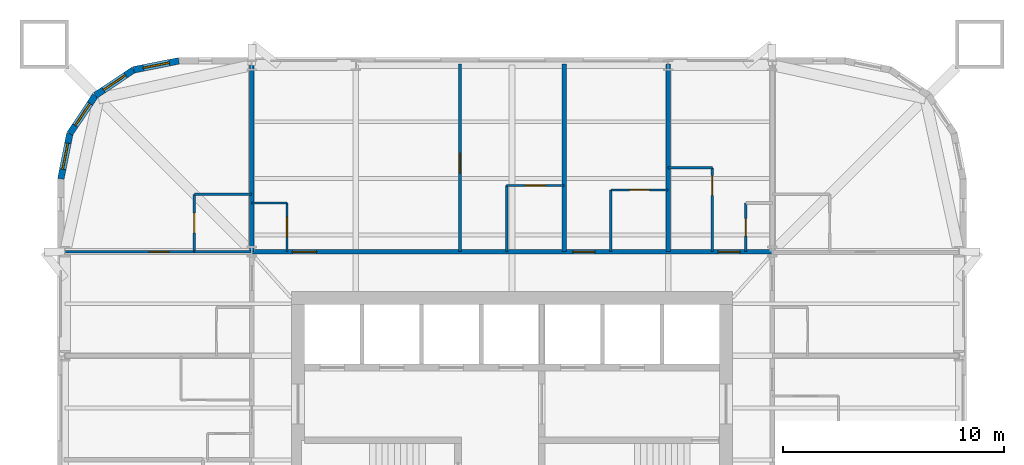
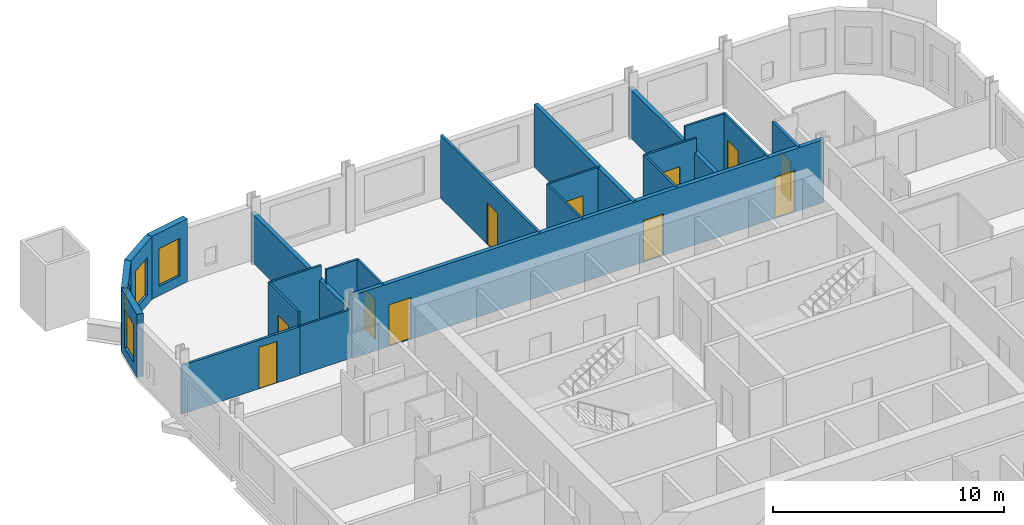
# One storey, part 7 of 9: 22 walls, 11 doors, 4 windows, 15 openings.
"""IFC4 building model written with IfcOpenShell, lengths in metres."""

from ifc_helpers import new_model, si_unit, direction, frame, frame_2d, origin, place, context, subcontext, project, spatial, rectangle, extrude, material, layer, layer_set, type_object, element, fill, save


model = new_model("IFC4")

# Units and contexts
model_context = context("Model", 3, precision=1e-05, world=origin(), true_north=direction((0.0, 1.0)))
body_context = subcontext(model_context, "Body", "Model", "MODEL_VIEW")
ifc_project = project(units=[si_unit("LENGTHUNIT", "METRE"), si_unit("AREAUNIT", "SQUARE_METRE"), si_unit("VOLUMEUNIT", "CUBIC_METRE"), si_unit("PLANEANGLEUNIT", "RADIAN"), si_unit("MASSUNIT", "GRAM", prefix="KILO")], contexts=[model_context])

# Site, building, storey
site_placement = place(None, origin())
site = spatial("IfcSite", under=ifc_project, at=site_placement, CompositionType="ELEMENT")
building_placement = place(site_placement, origin())
building = spatial("IfcBuilding", under=site, at=building_placement, Name="Turquesa Mirador Hotel Tower", CompositionType="ELEMENT")
storey_placement = place(building_placement, frame((0.0, 0.0, 142.39990234375)))
storey = spatial("IfcBuildingStorey", under=building, at=storey_placement, Name="L38", CompositionType="ELEMENT", Elevation=142.39990234375)

# Walls
ifc_material_1 = material(Name="Gypsum board on steel studs", Category="steel")
ifc_layer_1 = layer(ifc_material_1, 0.10009765625)
ifc_layer_set_1 = layer_set([ifc_layer_1], Name="BATHROOM WALL 100")
wall_type_1 = type_object("IfcWallType", Name="BATHROOM WALL 100", PredefinedType="PARTITIONING", material=ifc_layer_set_1)
wall_1_placement = place(storey_placement, frame((40.60009765625, 56.800048828125, 0.0), z_axis=(0.0, 0.0, 1.0), x_axis=(1.0, 0.0, 0.0)))
element("IfcWall", 1, at=wall_1_placement, inside=storey, type_object=wall_type_1, Name="Partition L38 026", PredefinedType="PARTITIONING", context=body_context, shape_type="SweptSolid", body=[
    extrude(rectangle(XDim=2.599853515625, YDim=0.10009765625, at=frame_2d((1.2998046875, 0.0))), origin(), (0.0, 0.0, 1.0), 2.5732421875),
])
wall_2_placement = place(storey_placement, frame((43.199951171875, 59.0, 0.0), z_axis=(0.0, 0.0, 1.0), x_axis=(1.0, 0.0, 0.0)))
element("IfcWall", 2, at=wall_2_placement, inside=storey, type_object=wall_type_1, Name="Partition L38 031", PredefinedType="PARTITIONING", context=body_context, shape_type="SweptSolid", body=[
    extrude(rectangle(XDim=1.60009765625, YDim=0.10009765625, at=frame_2d((0.800048828125, 0.0))), origin(), (0.0, 0.0, 1.0), 3.330078125),
])
wall_3_placement = place(storey_placement, frame((40.60009765625, 59.39990234375, 0.0), z_axis=(0.0, 0.0, 1.0), x_axis=(1.0, 0.0, 0.0)))
element("IfcWall", 3, at=wall_3_placement, inside=storey, type_object=wall_type_1, Name="Partition L38 033", PredefinedType="PARTITIONING", context=body_context, shape_type="SweptSolid", body=[
    extrude(rectangle(XDim=2.599853515625, YDim=0.10009765625, at=frame_2d((1.2998046875, 0.0))), origin(), (0.0, 0.0, 1.0), 3.330078125),
])

# Wall, opening, door
wall_4_placement = place(storey_placement, frame((59.47998046875, 59.60009765625, 0.0), z_axis=(0.0, 0.0, 1.0), x_axis=(1.0, 0.0, 0.0)))
wall_4 = element("IfcWall", 4, at=wall_4_placement, inside=storey, type_object=wall_type_1, Name="Partition L38 035", PredefinedType="PARTITIONING", context=body_context, shape_type="SweptSolid", body=[
    extrude(rectangle(XDim=2.60009765625, YDim=0.10009765625, at=frame_2d((1.300048828125, 0.0))), origin(), (0.0, 0.0, 1.0), 3.330078125),
])
opening_1_placement = place(wall_4_placement, frame((0.85009765625, 0.0, 0.0)))
opening_1 = element("IfcOpeningElement", 5, at=opening_1_placement, cuts=wall_4, Name="Opening D02", PredefinedType="OPENING", context=body_context, shape_type="SweptSolid", body=[
    extrude(rectangle(XDim=0.89990234375, YDim=2.10009765625, at=frame_2d((0.449951171875, 1.050048828125))), frame((0.0, 0.06005859375, 0.0), z_axis=(0.0, -1.0, 0.0), x_axis=(1.0, 0.0, 0.0)), (0.0, 0.0, 1.0), 0.1201171875),
])
ifc_material_2 = material(Name="Timber veneered door", Category="wood")
door_type_1 = type_object("IfcDoorType", Name="DOOR 900X2100 EN-SUITE", OperationType="SINGLE_SWING_RIGHT", PredefinedType="DOOR", material=ifc_material_2)
door_1_placement = place(opening_1_placement, origin())
door_1 = element("IfcDoor", 6, at=door_1_placement, inside=storey, type_object=door_type_1, Name="Door 3802B", OperationType="SINGLE_SWING_RIGHT", OverallHeight=2.10009765625, OverallWidth=0.89990234375, PredefinedType="DOOR", context=body_context, shape_type="SweptSolid", body=[
    extrude(rectangle(XDim=0.89990234375, YDim=2.10009765625, at=frame_2d((0.449951171875, 1.050048828125))), frame((0.0, 0.02490234375, 0.0), z_axis=(0.0, -1.0, 0.0), x_axis=(1.0, 0.0, 0.0)), (0.0, 0.0, 1.0), 0.050048828125),
])
fill(opening_1, door_1)

wall_5_placement = place(storey_placement, frame((54.760009765625, 59.800048828125, 0.0), z_axis=(0.0, 0.0, 1.0), x_axis=(1.0, 0.0, 0.0)))
wall_5 = element("IfcWall", 7, at=wall_5_placement, inside=storey, type_object=wall_type_1, Name="Partition L38 036", PredefinedType="PARTITIONING", context=body_context, shape_type="SweptSolid", body=[
    extrude(rectangle(XDim=2.60009765625, YDim=0.10009765625, at=frame_2d((1.300048828125, 0.0))), origin(), (0.0, 0.0, 1.0), 3.330078125),
])
opening_2_placement = place(wall_5_placement, frame((0.85009765625, 0.0, 0.0)))
opening_2 = element("IfcOpeningElement", 8, at=opening_2_placement, cuts=wall_5, Name="Opening D02", PredefinedType="OPENING", context=body_context, shape_type="SweptSolid", body=[
    extrude(rectangle(XDim=0.89990234375, YDim=2.10009765625, at=frame_2d((0.449951171875, 1.050048828125))), frame((0.0, 0.06005859375, 0.0), z_axis=(0.0, -1.0, 0.0), x_axis=(1.0, 0.0, 0.0)), (0.0, 0.0, 1.0), 0.1201171875),
])
door_2_placement = place(opening_2_placement, origin())
door_2 = element("IfcDoor", 9, at=door_2_placement, inside=storey, type_object=door_type_1, Name="Door 3801B", OperationType="SINGLE_SWING_RIGHT", OverallHeight=2.10009765625, OverallWidth=0.89990234375, PredefinedType="DOOR", context=body_context, shape_type="SweptSolid", body=[
    extrude(rectangle(XDim=0.89990234375, YDim=2.10009765625, at=frame_2d((0.449951171875, 1.050048828125))), frame((0.0, 0.02490234375, 0.0), z_axis=(0.0, -1.0, 0.0), x_axis=(1.0, 0.0, 0.0)), (0.0, 0.0, 1.0), 0.050048828125),
])
fill(opening_2, door_2)

# Walls
wall_6_placement = place(storey_placement, frame((62.080078125, 60.60009765625, 0.0), z_axis=(0.0, 0.0, 1.0), x_axis=(1.0, 0.0, 0.0)))
element("IfcWall", 10, at=wall_6_placement, inside=storey, type_object=wall_type_1, Name="Partition L38 037", PredefinedType="PARTITIONING", context=body_context, shape_type="SweptSolid", body=[
    extrude(rectangle(XDim=2.0, YDim=0.10009765625, at=frame_2d((1.0, 0.0))), origin(), (0.0, 0.0, 1.0), 3.330078125),
])
wall_7_placement = place(storey_placement, frame((54.760009765625, 56.800048828125, 0.0), z_axis=(0.0, 0.0, 1.0), x_axis=(0.0, 1.0, 0.0)))
element("IfcWall", 11, at=wall_7_placement, inside=storey, type_object=wall_type_1, Name="Partition L38 049", PredefinedType="PARTITIONING", context=body_context, shape_type="SweptSolid", body=[
    extrude(rectangle(XDim=3.0, YDim=0.10009765625, at=frame_2d((1.5, 0.0))), origin(), (0.0, 0.0, 1.0), 3.330078125),
])

# Wall, opening, door
wall_8_placement = place(storey_placement, frame((44.800048828125, 56.800048828125, 0.0), z_axis=(0.0, 0.0, 1.0), x_axis=(0.0, 1.0, 0.0)))
wall_8 = element("IfcWall", 12, at=wall_8_placement, inside=storey, type_object=wall_type_1, Name="Partition L38 050", PredefinedType="PARTITIONING", context=body_context, shape_type="SweptSolid", body=[
    extrude(rectangle(XDim=2.199951171875, YDim=0.10009765625, at=frame_2d((1.10009765625, 0.0))), origin(), (0.0, 0.0, 1.0), 3.330078125),
])
opening_3_placement = place(wall_8_placement, frame((0.64990234375, 0.0, 0.0)))
opening_3 = element("IfcOpeningElement", 13, at=opening_3_placement, cuts=wall_8, Name="Opening D06", PredefinedType="OPENING", context=body_context, shape_type="SweptSolid", body=[
    extrude(rectangle(XDim=0.89990234375, YDim=2.10009765625, at=frame_2d((0.449951171875, 1.050048828125))), frame((0.0, 0.06005859375, 0.0), z_axis=(0.0, -1.0, 0.0), x_axis=(1.0, 0.0, 0.0)), (0.0, 0.0, 1.0), 0.1201171875),
])
ifc_material_3 = material(Name="Laminate door", Category="wood")
door_type_2 = type_object("IfcDoorType", Name="DOOR 900X2100 WC", OperationType="SINGLE_SWING_LEFT", PredefinedType="DOOR", material=ifc_material_3)
door_3_placement = place(opening_3_placement, origin())
door_3 = element("IfcDoor", 14, at=door_3_placement, inside=storey, type_object=door_type_2, Name="Door 3801W", OperationType="SINGLE_SWING_LEFT", OverallHeight=2.10009765625, OverallWidth=0.89990234375, PredefinedType="DOOR", context=body_context, shape_type="SweptSolid", body=[
    extrude(rectangle(XDim=0.89990234375, YDim=2.10009765625, at=frame_2d((0.449951171875, 1.050048828125))), frame((0.0, 0.02490234375, 0.0), z_axis=(0.0, -1.0, 0.0), x_axis=(1.0, 0.0, 0.0)), (0.0, 0.0, 1.0), 0.050048828125),
])
fill(opening_3, door_3)

wall_9_placement = place(storey_placement, frame((40.60009765625, 56.800048828125, 0.0), z_axis=(0.0, 0.0, 1.0), x_axis=(0.0, 1.0, 0.0)))
wall_9 = element("IfcWall", 15, at=wall_9_placement, inside=storey, type_object=wall_type_1, Name="Partition L38 060", PredefinedType="PARTITIONING", context=body_context, shape_type="SweptSolid", body=[
    extrude(rectangle(XDim=2.599853515625, YDim=0.10009765625, at=frame_2d((1.2998046875, 0.0))), origin(), (0.0, 0.0, 1.0), 3.330078125),
])
opening_4_placement = place(wall_9_placement, frame((0.85009765625, 0.0, 0.0)))
opening_4 = element("IfcOpeningElement", 16, at=opening_4_placement, cuts=wall_9, Name="Opening D02", PredefinedType="OPENING", context=body_context, shape_type="SweptSolid", body=[
    extrude(rectangle(XDim=0.89990234375, YDim=2.10009765625, at=frame_2d((0.449951171875, 1.050048828125))), frame((0.0, 0.06005859375, 0.0), z_axis=(0.0, -1.0, 0.0), x_axis=(1.0, 0.0, 0.0)), (0.0, 0.0, 1.0), 0.1201171875),
])
door_4_placement = place(opening_4_placement, origin())
door_4 = element("IfcDoor", 17, at=door_4_placement, inside=storey, type_object=door_type_1, Name="Door 3815B", OperationType="SINGLE_SWING_RIGHT", OverallHeight=2.10009765625, OverallWidth=0.89990234375, PredefinedType="DOOR", context=body_context, shape_type="SweptSolid", body=[
    extrude(rectangle(XDim=0.89990234375, YDim=2.10009765625, at=frame_2d((0.449951171875, 1.050048828125))), frame((0.0, 0.02490234375, 0.0), z_axis=(0.0, -1.0, 0.0), x_axis=(1.0, 0.0, 0.0)), (0.0, 0.0, 1.0), 0.050048828125),
])
fill(opening_4, door_4)

# Wall
wall_10_placement = place(storey_placement, frame((59.47998046875, 56.800048828125, 0.0), z_axis=(0.0, 0.0, 1.0), x_axis=(0.0, 1.0, 0.0)))
element("IfcWall", 18, at=wall_10_placement, inside=storey, type_object=wall_type_1, Name="Partition L38 082", PredefinedType="PARTITIONING", context=body_context, shape_type="SweptSolid", body=[
    extrude(rectangle(XDim=2.800048828125, YDim=0.10009765625, at=frame_2d((1.39990234375, 0.0))), origin(), (0.0, 0.0, 1.0), 3.330078125),
])

# Wall, opening, door
wall_11_placement = place(storey_placement, frame((64.080078125, 56.800048828125, 0.0), z_axis=(0.0, 0.0, 1.0), x_axis=(0.0, 1.0, 0.0)))
wall_11 = element("IfcWall", 19, at=wall_11_placement, inside=storey, type_object=wall_type_1, Name="Partition L38 087", PredefinedType="PARTITIONING", context=body_context, shape_type="SweptSolid", body=[
    extrude(rectangle(XDim=3.800048828125, YDim=0.10009765625, at=frame_2d((1.89990234375, 0.0))), origin(), (0.0, 0.0, 1.0), 3.330078125),
])
opening_5_placement = place(wall_11_placement, frame((2.550048828125, 0.0, 0.0)))
opening_5 = element("IfcOpeningElement", 20, at=opening_5_placement, cuts=wall_11, Name="Opening D02", PredefinedType="OPENING", context=body_context, shape_type="SweptSolid", body=[
    extrude(rectangle(XDim=0.89990234375, YDim=2.10009765625, at=frame_2d((0.449951171875, 1.050048828125))), frame((0.0, 0.06005859375, 0.0), z_axis=(0.0, -1.0, 0.0), x_axis=(1.0, 0.0, 0.0)), (0.0, 0.0, 1.0), 0.1201171875),
])
door_5_placement = place(opening_5_placement, origin())
door_5 = element("IfcDoor", 21, at=door_5_placement, inside=storey, type_object=door_type_1, Name="Door 3803B", OperationType="SINGLE_SWING_RIGHT", OverallHeight=2.10009765625, OverallWidth=0.89990234375, PredefinedType="DOOR", context=body_context, shape_type="SweptSolid", body=[
    extrude(rectangle(XDim=0.89990234375, YDim=2.10009765625, at=frame_2d((0.449951171875, 1.050048828125))), frame((0.0, 0.02490234375, 0.0), z_axis=(0.0, -1.0, 0.0), x_axis=(1.0, 0.0, 0.0)), (0.0, 0.0, 1.0), 0.050048828125),
])
fill(opening_5, door_5)

# Wall, openings, doors
ifc_material_4 = material(Name="Fire-rated gypsum board on steel studs", Category="steel")
ifc_layer_2 = layer(ifc_material_4, 0.199951171875)
ifc_layer_set_2 = layer_set([ifc_layer_2], Name="CORRIDOR WALL 200")
wall_type_2 = type_object("IfcWallType", Name="CORRIDOR WALL 200", PredefinedType="PARTITIONING", material=ifc_layer_set_2)
wall_12_placement = place(storey_placement, frame((43.199951171875, 56.800048828125, 0.0), z_axis=(0.0, 0.0, 1.0), x_axis=(1.0, 0.0, 0.0)))
wall_12 = element("IfcWall", 22, at=wall_12_placement, inside=storey, type_object=wall_type_2, Name="Partition L38 028", PredefinedType="PARTITIONING", context=body_context, shape_type="SweptSolid", body=[
    extrude(rectangle(XDim=23.60009765625, YDim=0.199951171875, at=frame_2d((11.800048828125, 0.0))), origin(), (0.0, 0.0, 1.0), 3.330078125),
])
opening_6_placement = place(wall_12_placement, frame((1.85009765625, 0.0, 0.0)))
opening_6 = element("IfcOpeningElement", 23, at=opening_6_placement, cuts=wall_12, Name="Opening D15", PredefinedType="OPENING", context=body_context, shape_type="SweptSolid", body=[
    extrude(rectangle(XDim=1.10009765625, YDim=2.199951171875, at=frame_2d((0.550048828125, 1.10009765625))), frame((0.0, 0.10986328125, 0.0), z_axis=(0.0, -1.0, 0.0), x_axis=(1.0, 0.0, 0.0)), (0.0, 0.0, 1.0), 0.219970703125),
])
opening_7_placement = place(wall_12_placement, frame((14.56005859375, 0.0, 0.0)))
opening_7 = element("IfcOpeningElement", 24, at=opening_7_placement, cuts=wall_12, Name="Opening D01", PredefinedType="OPENING", context=body_context, shape_type="SweptSolid", body=[
    extrude(rectangle(XDim=1.0, YDim=2.199951171875, at=frame_2d((0.5, 1.10009765625))), frame((0.0, 0.10986328125, 0.0), z_axis=(0.0, -1.0, 0.0), x_axis=(1.0, 0.0, 0.0)), (0.0, 0.0, 1.0), 0.219970703125),
])
opening_8_placement = place(wall_12_placement, frame((21.139892578125, 0.0, 0.0)))
opening_8 = element("IfcOpeningElement", 25, at=opening_8_placement, cuts=wall_12, Name="Opening D01", PredefinedType="OPENING", context=body_context, shape_type="SweptSolid", body=[
    extrude(rectangle(XDim=1.0, YDim=2.199951171875, at=frame_2d((0.5, 1.10009765625))), frame((0.0, 0.10986328125, 0.0), z_axis=(0.0, -1.0, 0.0), x_axis=(1.0, 0.0, 0.0)), (0.0, 0.0, 1.0), 0.219970703125),
])
ifc_material_5 = material(Name="Timber veneered fire door", Category="wood")
door_type_3 = type_object("IfcDoorType", Name="DOOR 1000X2200 GUEST ENTRY", OperationType="SINGLE_SWING_LEFT", PredefinedType="DOOR", material=ifc_material_5)
door_6_placement = place(opening_7_placement, origin())
door_6 = element("IfcDoor", 26, at=door_6_placement, inside=storey, type_object=door_type_3, Name="Door 3802", OperationType="SINGLE_SWING_LEFT", OverallHeight=2.199951171875, OverallWidth=1.0, PredefinedType="DOOR", context=body_context, shape_type="SweptSolid", body=[
    extrude(rectangle(XDim=1.0, YDim=2.199951171875, at=frame_2d((0.5, 1.10009765625))), frame((0.0, 0.02490234375, 0.0), z_axis=(0.0, -1.0, 0.0), x_axis=(1.0, 0.0, 0.0)), (0.0, 0.0, 1.0), 0.050048828125),
])
fill(opening_7, door_6)
door_7_placement = place(opening_8_placement, origin())
door_7 = element("IfcDoor", 27, at=door_7_placement, inside=storey, type_object=door_type_3, Name="Door 3803", OperationType="SINGLE_SWING_LEFT", OverallHeight=2.199951171875, OverallWidth=1.0, PredefinedType="DOOR", context=body_context, shape_type="SweptSolid", body=[
    extrude(rectangle(XDim=1.0, YDim=2.199951171875, at=frame_2d((0.5, 1.10009765625))), frame((0.0, 0.02490234375, 0.0), z_axis=(0.0, -1.0, 0.0), x_axis=(1.0, 0.0, 0.0)), (0.0, 0.0, 1.0), 0.050048828125),
])
fill(opening_8, door_7)
ifc_material_6 = material(Name="Timber veneered fire door", Category="wood")
door_type_4 = type_object("IfcDoorType", Name="DOOR 1100X2200 SUITE ENTRY", OperationType="SINGLE_SWING_LEFT", PredefinedType="DOOR", material=ifc_material_6)
door_8_placement = place(opening_6_placement, origin())
door_8 = element("IfcDoor", 28, at=door_8_placement, inside=storey, type_object=door_type_4, Name="Door 3801", OperationType="SINGLE_SWING_LEFT", OverallHeight=2.199951171875, OverallWidth=1.10009765625, PredefinedType="DOOR", context=body_context, shape_type="SweptSolid", body=[
    extrude(rectangle(XDim=1.10009765625, YDim=2.199951171875, at=frame_2d((0.550048828125, 1.10009765625))), frame((0.0, 0.02490234375, 0.0), z_axis=(0.0, -1.0, 0.0), x_axis=(1.0, 0.0, 0.0)), (0.0, 0.0, 1.0), 0.050048828125),
])
fill(opening_6, door_8)

# Wall, opening, window
ifc_material_7 = material(Name="Limestone cladding on concrete block", Category="masonry")
ifc_layer_3 = layer(ifc_material_7, 0.300048828125)
ifc_layer_set_3 = layer_set([ifc_layer_3], Name="FACADE WALL 300 STONE SCREEN")
wall_type_3 = type_object("IfcWallType", Name="FACADE WALL 300 STONE SCREEN", PredefinedType="SOLIDWALL", material=ifc_layer_set_3)
wall_13_placement = place(storey_placement, frame((39.89990234375, 65.449951171875, 0.0), z_axis=(0.0, 0.0, 1.0), x_axis=(-0.980787050784, -0.195081421501, 0.0)))
wall_13 = element("IfcWall", 29, at=wall_13_placement, inside=storey, type_object=wall_type_3, Name="Facade wall L38 10", PredefinedType="SOLIDWALL", context=body_context, shape_type="SweptSolid", body=[
    extrude(rectangle(XDim=2.08740234375, YDim=0.300048828125, at=frame_2d((1.043701171875, 0.0))), origin(), (0.0, 0.0, 1.0), 3.330078125),
])
opening_9_placement = place(wall_13_placement, frame((0.443603515625, 0.0, 0.5)))
opening_9 = element("IfcOpeningElement", 30, at=opening_9_placement, cuts=wall_13, Name="Opening WN4", PredefinedType="OPENING", context=body_context, shape_type="SweptSolid", body=[
    extrude(rectangle(XDim=1.199951171875, YDim=2.0, at=frame_2d((0.60009765625, 1.0))), frame((0.0, 0.159912109375, 0.0), z_axis=(0.0, -1.0, 0.0), x_axis=(1.0, 0.0, 0.0)), (0.0, 0.0, 1.0), 0.320068359375),
])
ifc_material_8 = material(Name="Ceramic-fritted laminated glass", Category="glass")
window_type = type_object("IfcWindowType", Name="FRITTED CORNER WINDOW 1200X2000", PartitioningType="DOUBLE_PANEL_HORIZONTAL", PredefinedType="WINDOW", material=ifc_material_8)
window_1_placement = place(opening_9_placement, origin())
window_1 = element("IfcWindow", 31, at=window_1_placement, inside=storey, type_object=window_type, Name="Window L38", OverallHeight=2.0, OverallWidth=1.199951171875, PartitioningType="SINGLE_PANEL", PredefinedType="WINDOW", context=body_context, shape_type="SweptSolid", body=[
    extrude(rectangle(XDim=1.199951171875, YDim=2.0, at=frame_2d((0.60009765625, 1.0))), frame((0.0, 0.030029296875, 0.0), z_axis=(0.0, -1.0, 0.0), x_axis=(1.0, 0.0, 0.0)), (0.0, 0.0, 1.0), 0.06005859375),
])
fill(opening_9, window_1)

wall_14_placement = place(storey_placement, frame((37.8525390625, 65.042724609375, 0.0), z_axis=(0.0, 0.0, 1.0), x_axis=(-0.831474039234, -0.555563607591, 0.0)))
wall_14 = element("IfcWall", 32, at=wall_14_placement, inside=storey, type_object=wall_type_3, Name="Facade wall L38 11", PredefinedType="SOLIDWALL", context=body_context, shape_type="SweptSolid", body=[
    extrude(rectangle(XDim=2.08740234375, YDim=0.300048828125, at=frame_2d((1.043701171875, 0.0))), origin(), (0.0, 0.0, 1.0), 3.330078125),
])
opening_10_placement = place(wall_14_placement, frame((0.443603515625, 0.0, 0.5)))
opening_10 = element("IfcOpeningElement", 33, at=opening_10_placement, cuts=wall_14, Name="Opening WN4", PredefinedType="OPENING", context=body_context, shape_type="SweptSolid", body=[
    extrude(rectangle(XDim=1.199951171875, YDim=2.0, at=frame_2d((0.60009765625, 1.0))), frame((0.0, 0.159912109375, 0.0), z_axis=(0.0, -1.0, 0.0), x_axis=(1.0, 0.0, 0.0)), (0.0, 0.0, 1.0), 0.320068359375),
])
window_2_placement = place(opening_10_placement, origin())
window_2 = element("IfcWindow", 34, at=window_2_placement, inside=storey, type_object=window_type, Name="Window L38", OverallHeight=2.0, OverallWidth=1.199951171875, PartitioningType="SINGLE_PANEL", PredefinedType="WINDOW", context=body_context, shape_type="SweptSolid", body=[
    extrude(rectangle(XDim=1.199951171875, YDim=2.0, at=frame_2d((0.60009765625, 1.0))), frame((0.0, 0.030029296875, 0.0), z_axis=(0.0, -1.0, 0.0), x_axis=(1.0, 0.0, 0.0)), (0.0, 0.0, 1.0), 0.06005859375),
])
fill(opening_10, window_2)

wall_15_placement = place(storey_placement, frame((36.116943359375, 63.883056640625, 0.0), z_axis=(0.0, 0.0, 1.0), x_axis=(-0.555563607591, -0.831474039234, 0.0)))
wall_15 = element("IfcWall", 35, at=wall_15_placement, inside=storey, type_object=wall_type_3, Name="Facade wall L38 12", PredefinedType="SOLIDWALL", context=body_context, shape_type="SweptSolid", body=[
    extrude(rectangle(XDim=2.08740234375, YDim=0.300048828125, at=frame_2d((1.043701171875, 0.0))), origin(), (0.0, 0.0, 1.0), 3.330078125),
])
opening_11_placement = place(wall_15_placement, frame((0.443603515625, 0.0, 0.5)))
opening_11 = element("IfcOpeningElement", 36, at=opening_11_placement, cuts=wall_15, Name="Opening WN4", PredefinedType="OPENING", context=body_context, shape_type="SweptSolid", body=[
    extrude(rectangle(XDim=1.199951171875, YDim=2.0, at=frame_2d((0.60009765625, 1.0))), frame((0.0, 0.159912109375, 0.0), z_axis=(0.0, -1.0, 0.0), x_axis=(1.0, 0.0, 0.0)), (0.0, 0.0, 1.0), 0.320068359375),
])
window_3_placement = place(opening_11_placement, origin())
window_3 = element("IfcWindow", 37, at=window_3_placement, inside=storey, type_object=window_type, Name="Window L38", OverallHeight=2.0, OverallWidth=1.199951171875, PartitioningType="SINGLE_PANEL", PredefinedType="WINDOW", context=body_context, shape_type="SweptSolid", body=[
    extrude(rectangle(XDim=1.199951171875, YDim=2.0, at=frame_2d((0.60009765625, 1.0))), frame((0.0, 0.030029296875, 0.0), z_axis=(0.0, -1.0, 0.0), x_axis=(1.0, 0.0, 0.0)), (0.0, 0.0, 1.0), 0.06005859375),
])
fill(opening_11, window_3)

wall_16_placement = place(storey_placement, frame((34.957275390625, 62.1474609375, 0.0), z_axis=(0.0, 0.0, 1.0), x_axis=(-0.195081421501, -0.980787050784, 0.0)))
wall_16 = element("IfcWall", 38, at=wall_16_placement, inside=storey, type_object=wall_type_3, Name="Facade wall L38 13", PredefinedType="SOLIDWALL", context=body_context, shape_type="SweptSolid", body=[
    extrude(rectangle(XDim=2.08740234375, YDim=0.300048828125, at=frame_2d((1.043701171875, 0.0))), origin(), (0.0, 0.0, 1.0), 3.330078125),
])
opening_12_placement = place(wall_16_placement, frame((0.443603515625, 0.0, 0.5)))
opening_12 = element("IfcOpeningElement", 39, at=opening_12_placement, cuts=wall_16, Name="Opening WN4", PredefinedType="OPENING", context=body_context, shape_type="SweptSolid", body=[
    extrude(rectangle(XDim=1.199951171875, YDim=2.0, at=frame_2d((0.60009765625, 1.0))), frame((0.0, 0.159912109375, 0.0), z_axis=(0.0, -1.0, 0.0), x_axis=(1.0, 0.0, 0.0)), (0.0, 0.0, 1.0), 0.320068359375),
])
window_4_placement = place(opening_12_placement, origin())
window_4 = element("IfcWindow", 40, at=window_4_placement, inside=storey, type_object=window_type, Name="Window L38", OverallHeight=2.0, OverallWidth=1.199951171875, PartitioningType="SINGLE_PANEL", PredefinedType="WINDOW", context=body_context, shape_type="SweptSolid", body=[
    extrude(rectangle(XDim=1.199951171875, YDim=2.0, at=frame_2d((0.60009765625, 1.0))), frame((0.0, 0.030029296875, 0.0), z_axis=(0.0, -1.0, 0.0), x_axis=(1.0, 0.0, 0.0)), (0.0, 0.0, 1.0), 0.06005859375),
])
fill(opening_12, window_4)

# Walls
ifc_material_9 = material(Name="Fire-rated gypsum board on steel studs", Category="steel")
ifc_layer_4 = layer(ifc_material_9, 0.199951171875)
ifc_layer_set_4 = layer_set([ifc_layer_4], Name="PARTY WALL 200")
wall_type_4 = type_object("IfcWallType", Name="PARTY WALL 200", PredefinedType="PARTITIONING", material=ifc_layer_set_4)
wall_17_placement = place(storey_placement, frame((43.199951171875, 56.800048828125, 0.0), z_axis=(0.0, 0.0, 1.0), x_axis=(0.0, 1.0, 0.0)))
element("IfcWall", 41, at=wall_17_placement, inside=storey, type_object=wall_type_4, Name="Partition L38 053", PredefinedType="PARTITIONING", context=body_context, shape_type="SweptSolid", body=[
    extrude(rectangle(XDim=8.5, YDim=0.199951171875, at=frame_2d((4.25, 0.0))), origin(), (0.0, 0.0, 1.0), 2.5732421875),
])
wall_18_placement = place(storey_placement, frame((57.360107421875, 56.800048828125, 0.0), z_axis=(0.0, 0.0, 1.0), x_axis=(0.0, 1.0, 0.0)))
element("IfcWall", 42, at=wall_18_placement, inside=storey, type_object=wall_type_4, Name="Partition L38 081", PredefinedType="PARTITIONING", context=body_context, shape_type="SweptSolid", body=[
    extrude(rectangle(XDim=8.5, YDim=0.199951171875, at=frame_2d((4.25, 0.0))), origin(), (0.0, 0.0, 1.0), 3.330078125),
])
wall_19_placement = place(storey_placement, frame((62.080078125, 56.800048828125, 0.0), z_axis=(0.0, 0.0, 1.0), x_axis=(0.0, 1.0, 0.0)))
element("IfcWall", 43, at=wall_19_placement, inside=storey, type_object=wall_type_4, Name="Partition L38 085", PredefinedType="PARTITIONING", context=body_context, shape_type="SweptSolid", body=[
    extrude(rectangle(XDim=8.5, YDim=0.199951171875, at=frame_2d((4.25, 0.0))), origin(), (0.0, 0.0, 1.0), 2.5732421875),
])

# Wall, opening, door
ifc_material_10 = material(Name="Acoustic gypsum board on steel studs", Category="steel")
ifc_layer_5 = layer(ifc_material_10, 0.125)
ifc_layer_set_5 = layer_set([ifc_layer_5], Name="SUITE PARTITION 125")
wall_type_5 = type_object("IfcWallType", Name="SUITE PARTITION 125", PredefinedType="PARTITIONING", material=ifc_layer_set_5)
wall_20_placement = place(storey_placement, frame((34.699951171875, 56.800048828125, 0.0), z_axis=(0.0, 0.0, 1.0), x_axis=(1.0, 0.0, 0.0)))
wall_20 = element("IfcWall", 44, at=wall_20_placement, inside=storey, type_object=wall_type_5, Name="Partition L38 029", PredefinedType="PARTITIONING", context=body_context, shape_type="SweptSolid", body=[
    extrude(rectangle(XDim=5.900146484375, YDim=0.125, at=frame_2d((2.9501953125, 0.0))), origin(), (0.0, 0.0, 1.0), 2.5732421875),
])
opening_13_placement = place(wall_20_placement, frame((3.85009765625, 0.0, 0.0)))
opening_13 = element("IfcOpeningElement", 45, at=opening_13_placement, cuts=wall_20, Name="Opening D17", PredefinedType="OPENING", context=body_context, shape_type="SweptSolid", body=[
    extrude(rectangle(XDim=0.89990234375, YDim=2.199951171875, at=frame_2d((0.449951171875, 1.10009765625))), frame((0.0, 0.072509765625, 0.0), z_axis=(0.0, -1.0, 0.0), x_axis=(1.0, 0.0, 0.0)), (0.0, 0.0, 1.0), 0.14501953125),
])
ifc_material_11 = material(Name="Timber veneered door", Category="wood")
door_type_5 = type_object("IfcDoorType", Name="DOOR 900X2200 SUITE INTERNAL", OperationType="SINGLE_SWING_LEFT", PredefinedType="DOOR", material=ifc_material_11)
door_9_placement = place(opening_13_placement, origin())
door_9 = element("IfcDoor", 46, at=door_9_placement, inside=storey, type_object=door_type_5, Name="Door 3815R", OperationType="SINGLE_SWING_LEFT", OverallHeight=2.199951171875, OverallWidth=0.89990234375, PredefinedType="DOOR", context=body_context, shape_type="SweptSolid", body=[
    extrude(rectangle(XDim=0.89990234375, YDim=2.199951171875, at=frame_2d((0.449951171875, 1.10009765625))), frame((0.0, 0.02490234375, 0.0), z_axis=(0.0, -1.0, 0.0), x_axis=(1.0, 0.0, 0.0)), (0.0, 0.0, 1.0), 0.050048828125),
])
fill(opening_13, door_9)

wall_21_placement = place(storey_placement, frame((52.639892578125, 56.800048828125, 0.0), z_axis=(0.0, 0.0, 1.0), x_axis=(0.0, 1.0, 0.0)))
wall_21 = element("IfcWall", 47, at=wall_21_placement, inside=storey, type_object=wall_type_5, Name="Partition L38 065", PredefinedType="PARTITIONING", context=body_context, shape_type="SweptSolid", body=[
    extrude(rectangle(XDim=8.5, YDim=0.125, at=frame_2d((4.25, 0.0))), origin(), (0.0, 0.0, 1.0), 3.330078125),
])
opening_14_placement = place(wall_21_placement, frame((3.550048828125, 0.0, 0.0)))
opening_14 = element("IfcOpeningElement", 48, at=opening_14_placement, cuts=wall_21, Name="Opening D17", PredefinedType="OPENING", context=body_context, shape_type="SweptSolid", body=[
    extrude(rectangle(XDim=0.89990234375, YDim=2.199951171875, at=frame_2d((0.449951171875, 1.10009765625))), frame((0.0, 0.072509765625, 0.0), z_axis=(0.0, -1.0, 0.0), x_axis=(1.0, 0.0, 0.0)), (0.0, 0.0, 1.0), 0.14501953125),
])
door_10_placement = place(opening_14_placement, origin())
door_10 = element("IfcDoor", 49, at=door_10_placement, inside=storey, type_object=door_type_5, Name="Door 3801R", OperationType="SINGLE_SWING_LEFT", OverallHeight=2.199951171875, OverallWidth=0.89990234375, PredefinedType="DOOR", context=body_context, shape_type="SweptSolid", body=[
    extrude(rectangle(XDim=0.89990234375, YDim=2.199951171875, at=frame_2d((0.449951171875, 1.10009765625))), frame((0.0, 0.02490234375, 0.0), z_axis=(0.0, -1.0, 0.0), x_axis=(1.0, 0.0, 0.0)), (0.0, 0.0, 1.0), 0.050048828125),
])
fill(opening_14, door_10)

wall_22_placement = place(storey_placement, frame((65.60009765625, 56.800048828125, 0.0), z_axis=(0.0, 0.0, 1.0), x_axis=(0.0, 1.0, 0.0)))
wall_22 = element("IfcWall", 50, at=wall_22_placement, inside=storey, type_object=wall_type_5, Name="Partition L38 068", PredefinedType="PARTITIONING", context=body_context, shape_type="SweptSolid", body=[
    extrude(rectangle(XDim=2.199951171875, YDim=0.125, at=frame_2d((1.10009765625, 0.0))), origin(), (0.0, 0.0, 1.0), 3.330078125),
])
opening_15_placement = place(wall_22_placement, frame((0.699951171875, 0.0, 0.0)))
opening_15 = element("IfcOpeningElement", 51, at=opening_15_placement, cuts=wall_22, Name="Opening D20", PredefinedType="OPENING", context=body_context, shape_type="SweptSolid", body=[
    extrude(rectangle(XDim=0.800048828125, YDim=2.10009765625, at=frame_2d((0.39990234375, 1.050048828125))), frame((0.0, 0.072509765625, 0.0), z_axis=(0.0, -1.0, 0.0), x_axis=(1.0, 0.0, 0.0)), (0.0, 0.0, 1.0), 0.14501953125),
])
ifc_material_12 = material(Name="Timber veneered sliding door", Category="wood")
door_type_6 = type_object("IfcDoorType", Name="DOOR 800X2100 WARDROBE", OperationType="SLIDING_TO_LEFT", PredefinedType="DOOR", material=ifc_material_12)
door_11_placement = place(opening_15_placement, origin())
door_11 = element("IfcDoor", 52, at=door_11_placement, inside=storey, type_object=door_type_6, Name="Door 3803W", OperationType="SLIDING_TO_LEFT", OverallHeight=2.10009765625, OverallWidth=0.800048828125, PredefinedType="DOOR", context=body_context, shape_type="SweptSolid", body=[
    extrude(rectangle(XDim=0.800048828125, YDim=2.10009765625, at=frame_2d((0.39990234375, 1.050048828125))), frame((0.0, 0.02490234375, 0.0), z_axis=(0.0, -1.0, 0.0), x_axis=(1.0, 0.0, 0.0)), (0.0, 0.0, 1.0), 0.050048828125),
])
fill(opening_15, door_11)

save(model, "model.ifc")
